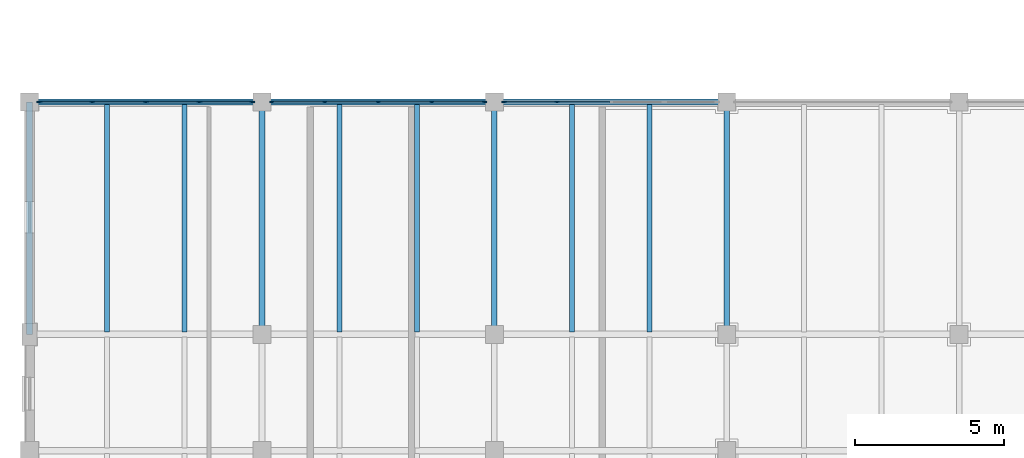
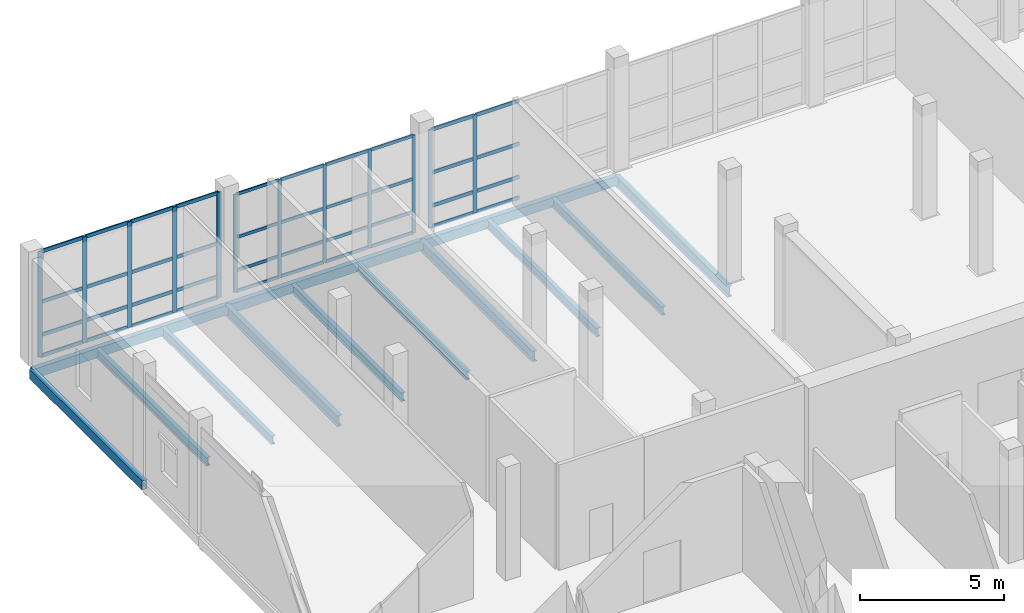
# One storey, part 43 of 131: 52 members, 13 beams, 3 elements without a shape of their own.
"""IFC4 building model written with IfcOpenShell, lengths in metres."""

import ifcopenshell
import ifcopenshell.guid

model = None  # the IFC model being written
_history = None  # IfcOwnerHistory: only IFC2X3 demands one
_inside = {}  # id of a spatial element -> (the spatial element, [elements in it])
_under = {}  # id of a project, library or spatial element -> (it, [spatial elements below it])
_declared = {}  # id of a project -> (the project, [libraries it declares])
_typed = {}  # id of a type object -> (the type object, [elements of that type])
_made_of = {}  # id of a material, layer set ... -> (it, [elements and type objects made of it])


def new_model(schema):
    """Start an empty IFC model of exactly this schema.

    Asked for "IFC4X3", IfcOpenShell would pick the latest addendum, in which some entities
    have other attributes; the version numbers below select the first issue.
    IFC2X3 requires an IfcOwnerHistory on every rooted entity: one is made here for all.
    """
    global model, _history
    if schema == "IFC4X3":
        model = ifcopenshell.file(schema_version=(4, 3, 0, 0))
    else:
        model = ifcopenshell.file(schema=schema)
    _inside.clear()
    _under.clear()
    _declared.clear()
    _typed.clear()
    _made_of.clear()
    _history = None
    if model.schema == "IFC2X3":
        org = make("IfcOrganization", Name="unknown")
        user = make(
            "IfcPersonAndOrganization",
            ThePerson=make("IfcPerson", FamilyName="unknown"),
            TheOrganization=org,
        )
        app = make(
            "IfcApplication",
            ApplicationDeveloper=org,
            Version="unknown",
            ApplicationFullName="unknown",
            ApplicationIdentifier="unknown",
        )
        _history = make(
            "IfcOwnerHistory",
            OwningUser=user,
            OwningApplication=app,
            ChangeAction="ADDED",
            CreationDate=0,
        )
    return model


def make(cls, **values):
    """One entity of the class cls with the attributes given. An attribute that is None is left unset."""
    return model.create_entity(
        cls, **{name: value for name, value in values.items() if value is not None}
    )


def rooted(cls, **values):
    """An entity with a GlobalId (a new one), such as an element, a storey or a relation."""
    return make(cls, GlobalId=ifcopenshell.guid.new(), OwnerHistory=_history, **values)


def si_unit(unit_type, name, prefix=None):
    """IfcSIUnit, for example si_unit("LENGTHUNIT", "METRE", prefix="MILLI")."""
    return make("IfcSIUnit", UnitType=unit_type, Prefix=prefix, Name=name)


def assignment(units):
    """IfcUnitAssignment: the units of a project."""
    return None if units is None else make("IfcUnitAssignment", Units=units)


def point(xyz):
    """IfcCartesianPoint."""
    return None if xyz is None else make("IfcCartesianPoint", Coordinates=xyz)


def direction(xyz):
    """IfcDirection."""
    return None if xyz is None else make("IfcDirection", DirectionRatios=xyz)


def frame(location, z_axis=None, x_axis=None):
    """IfcAxis2Placement3D, a coordinate frame: its origin and axes. An axis left out is left unset."""
    return make(
        "IfcAxis2Placement3D",
        Location=point(location),
        Axis=direction(z_axis),
        RefDirection=direction(x_axis),
    )


def frame_2d(location, x_axis=None):
    """IfcAxis2Placement2D, a coordinate frame in the plane: its origin and x axis."""
    return make(
        "IfcAxis2Placement2D", Location=point(location), RefDirection=direction(x_axis)
    )


def origin():
    """The frame at (0, 0, 0) with its axes left unset."""
    return frame((0.0, 0.0, 0.0))


def origin_2d():
    """The frame at (0, 0) in the plane with its x axis left unset."""
    return frame_2d((0.0, 0.0))


def place(relative_to, where):
    """IfcLocalPlacement: puts the frame where relative to a parent placement (None: the world)."""
    return make(
        "IfcLocalPlacement", PlacementRelTo=relative_to, RelativePlacement=where
    )


def context(
    kind, dimensions, precision=None, world=None, true_north=None, identifier=None
):
    """IfcGeometricRepresentationContext, for example the 3D "Model" context."""
    return make(
        "IfcGeometricRepresentationContext",
        ContextIdentifier=identifier,
        ContextType=kind,
        CoordinateSpaceDimension=dimensions,
        Precision=precision,
        WorldCoordinateSystem=world,
        TrueNorth=true_north,
    )


def subcontext(parent, identifier, kind, view, scale=None):
    """IfcGeometricRepresentationSubContext, for example "Body" below "Model"."""
    return make(
        "IfcGeometricRepresentationSubContext",
        ContextIdentifier=identifier,
        ContextType=kind,
        ParentContext=parent,
        TargetScale=scale,
        TargetView=view,
    )


def project(units=None, contexts=None):
    """IfcProject with its units and contexts."""
    return rooted(
        "IfcProject",
        Name="project",
        RepresentationContexts=contexts,
        UnitsInContext=assignment(units),
    )


def spatial(cls, under=None, at=None, **own):
    """A site, building, storey or space (cls), placed at a placement, below another one or the project."""
    s = rooted(cls, ObjectPlacement=at, **own)
    if under is not None:
        _under.setdefault(under.id(), (under, []))[1].append(s)
    return s


def profile(cls, at=None, kind="AREA", **sizes):
    """A parametric profile (cls). Its sizes go by their IFC names, for example OverallWidth=200.0."""
    return make(cls, ProfileType=kind, Position=at, **sizes)


def rectangle(**sizes):
    """IfcRectangleProfileDef."""
    return profile("IfcRectangleProfileDef", **sizes)


def hollow_rectangle(**sizes):
    """IfcRectangleHollowProfileDef."""
    return profile("IfcRectangleHollowProfileDef", **sizes)


def i_section(**sizes):
    """IfcIShapeProfileDef."""
    return profile("IfcIShapeProfileDef", **sizes)


def extrude(swept, where, along, depth):
    """IfcExtrudedAreaSolid: the profile swept, set in the frame where, extruded along a direction by depth."""
    return make(
        "IfcExtrudedAreaSolid",
        SweptArea=swept,
        Position=where,
        ExtrudedDirection=direction(along),
        Depth=depth,
    )


def shape(context_of_items, identifier, shape_type, items):
    """IfcShapeRepresentation: the items that make up one representation, for example the "Body"."""
    return make(
        "IfcShapeRepresentation",
        ContextOfItems=context_of_items,
        RepresentationIdentifier=identifier,
        RepresentationType=shape_type,
        Items=items,
    )


def material(Name=None, Category=None):
    """IfcMaterial."""
    return make("IfcMaterial", Name=Name, Category=Category)


def layer(
    of_material, thickness, ventilated=None, Name=None, Category=None, Priority=None
):
    """IfcMaterialLayer: one layer of a wall or slab, of a material (None: an air gap)."""
    return make(
        "IfcMaterialLayer",
        Material=of_material,
        LayerThickness=thickness,
        IsVentilated=ventilated,
        Name=Name,
        Category=Category,
        Priority=Priority,
    )


def layer_set(layers, Name=None):
    """IfcMaterialLayerSet."""
    return make("IfcMaterialLayerSet", MaterialLayers=layers, LayerSetName=Name)


def material_profile(
    of_material, cross_section, Name=None, Category=None, Priority=None
):
    """IfcMaterialProfile: a cross section and its material."""
    return make(
        "IfcMaterialProfile",
        Name=Name,
        Material=of_material,
        Profile=cross_section,
        Priority=Priority,
        Category=Category,
    )


def profile_set(profiles, Name=None, composite=None):
    """IfcMaterialProfileSet."""
    return make(
        "IfcMaterialProfileSet",
        Name=Name,
        MaterialProfiles=profiles,
        CompositeProfile=composite,
    )


def made_of(thing, what):
    """Note that an element or type object is made of a material, layer set ...; save() writes the relation."""
    if what is not None:
        _made_of.setdefault(what.id(), (what, []))[1].append(thing)
    return thing


def type_object(cls, material=None, **own):
    """A type object (cls), such as IfcWallType, which elements share."""
    return made_of(rooted(cls, **own), material)


def element(
    cls,
    number,
    at=None,
    inside=None,
    cuts=None,
    type_object=None,
    material=None,
    context=None,
    identifier="Body",
    shape_type=None,
    held_by="IfcProductDefinitionShape",
    body=None,
    shapes=None,
    **own,
):
    """One element of the class cls, such as IfcWall. Its Tag is "e" and its number.

    at: its placement. inside: the storey or other place that contains it. cuts: it is an
    opening in that element (IfcRelVoidsElement). A single representation is given by context,
    identifier, shape_type and body (its items); several are given by shapes. held_by: the class
    of the entity that holds the representations. save() writes the other relations.
    """
    e = rooted(cls, Tag="e%d" % number, ObjectPlacement=at, **own)
    if body is not None:
        shapes = [shape(context, identifier, shape_type, body)]
    if shapes is not None:
        e.Representation = make(held_by, Representations=shapes)
    if inside is not None:
        _inside.setdefault(inside.id(), (inside, []))[1].append(e)
    if cuts is not None:
        rooted(
            "IfcRelVoidsElement", RelatingBuildingElement=cuts, RelatedOpeningElement=e
        )
    if type_object is not None:
        _typed.setdefault(type_object.id(), (type_object, []))[1].append(e)
    return made_of(e, material)


def aggregate(whole, parts):
    """IfcRelAggregates: a whole, such as a stair, and the parts it consists of."""
    return rooted("IfcRelAggregates", RelatingObject=whole, RelatedObjects=parts)


def save(model, path):
    """Write the relations noted so far, then the file.

    IfcRelAggregates (storeys below a building ...), IfcRelContainedInSpatialStructure (elements
    in a storey), IfcRelDefinesByType, IfcRelAssociatesMaterial and IfcRelDeclares: one each for
    every whole, place, type object, material and project.
    """
    for whole, parts in _under.values():
        aggregate(whole, parts)
    for where, things in _inside.values():
        rooted(
            "IfcRelContainedInSpatialStructure",
            RelatedElements=things,
            RelatingStructure=where,
        )
    for kind, things in _typed.values():
        rooted("IfcRelDefinesByType", RelatedObjects=things, RelatingType=kind)
    for what, things in _made_of.values():
        rooted("IfcRelAssociatesMaterial", RelatedObjects=things, RelatingMaterial=what)
    for by, libraries in _declared.values():
        rooted("IfcRelDeclares", RelatingContext=by, RelatedDefinitions=libraries)
    model.write(path)


model = new_model("IFC4")

# Units and contexts
model_context = context("Model", 3, precision=1e-05, world=origin(), true_north=direction((0.0, 1.0)))
body_context = subcontext(model_context, "Body", "Model", "MODEL_VIEW")
ifc_project = project(units=[si_unit("LENGTHUNIT", "METRE"), si_unit("AREAUNIT", "SQUARE_METRE"), si_unit("VOLUMEUNIT", "CUBIC_METRE"), si_unit("PLANEANGLEUNIT", "RADIAN"), si_unit("MASSUNIT", "GRAM", prefix="KILO")], contexts=[model_context])

# Site, building, storey
site_placement = place(None, origin())
site = spatial("IfcSite", under=ifc_project, at=site_placement, CompositionType="ELEMENT")
building_placement = place(site_placement, origin())
building = spatial("IfcBuilding", under=site, at=building_placement, Name="Celorna Specialist Clinic", CompositionType="ELEMENT")
storey_placement = place(building_placement, origin())
storey = spatial("IfcBuildingStorey", under=building, at=storey_placement, Name="L00", CompositionType="ELEMENT", Elevation=0.0)

# Beams
ifc_material_1 = material(Name="Steel S355", Category="steel")
ifc_material_profile_1 = material_profile(ifc_material_1, i_section(OverallWidth=0.18994140625, OverallDepth=0.449951171875, WebThickness=0.009521484375, FlangeThickness=0.0146484375, at=origin_2d()), Name="IPE 450")
ifc_profile_set_1 = profile_set([ifc_material_profile_1], Name="Steel S355")
beam_type_1 = type_object("IfcBeamType", Name="BM-09", PredefinedType="BEAM", material=ifc_profile_set_1)
for number, where, z_axis, x_axis, name in (
    (1, (7.800048828125, 62.39990234375, -0.60498046875), (0.0, 1.0, 0.0), (-1.0, 0.0, 0.0), "Transverse girder BM-09 #275"),
    (2, (15.60009765625, 62.39990234375, -0.60498046875), (0.0, 1.0, 0.0), (-1.0, 0.0, 0.0), "Transverse girder BM-09 #280"),
    (3, (23.39990234375, 62.39990234375, -0.60498046875), (0.0, 1.0, 0.0), (-1.0, 0.0, 0.0), "Transverse girder BM-09 #285"),
):
    element("IfcBeam", number, at=place(storey_placement, frame(where, z_axis=z_axis, x_axis=x_axis)), inside=storey, type_object=beam_type_1, Name=name, PredefinedType="BEAM", context=body_context, shape_type="SweptSolid", body=[
        extrude(i_section(OverallWidth=0.18994140625, OverallDepth=0.449951171875, WebThickness=0.009521484375, FlangeThickness=0.0146484375, at=origin_2d()), origin(), (0.0, 0.0, 1.0), 7.800048828125),
    ])
ifc_material_profile_2 = material_profile(ifc_material_1, i_section(OverallWidth=0.169921875, OverallDepth=0.360107421875, WebThickness=0.008056640625, FlangeThickness=0.0126953125, at=origin_2d()), Name="IPE 360")
ifc_profile_set_2 = profile_set([ifc_material_profile_2], Name="Steel S355")
beam_type_2 = type_object("IfcBeamType", Name="BM-11", PredefinedType="JOIST", material=ifc_profile_set_2)
for number, where, z_axis, x_axis, name in (
    (4, (2.60009765625, 62.488037109375, -0.56005859375), (0.0, 1.0, 0.0), (-1.0, 0.0, 0.0), "Secondary floor joist BM-11 #307"),
    (5, (5.199951171875, 62.488037109375, -0.56005859375), (0.0, 1.0, 0.0), (-1.0, 0.0, 0.0), "Secondary floor joist BM-11 #308"),
    (6, (10.39990234375, 62.488037109375, -0.56005859375), (0.0, 1.0, 0.0), (-1.0, 0.0, 0.0), "Secondary floor joist BM-11 #317"),
    (7, (13.0, 62.488037109375, -0.56005859375), (0.0, 1.0, 0.0), (-1.0, 0.0, 0.0), "Secondary floor joist BM-11 #318"),
    (8, (18.199951171875, 62.488037109375, -0.56005859375), (0.0, 1.0, 0.0), (-1.0, 0.0, 0.0), "Secondary floor joist BM-11 #327"),
    (9, (20.800048828125, 62.488037109375, -0.56005859375), (0.0, 1.0, 0.0), (-1.0, 0.0, 0.0), "Secondary floor joist BM-11 #328"),
):
    element("IfcBeam", number, at=place(storey_placement, frame(where, z_axis=z_axis, x_axis=x_axis)), inside=storey, type_object=beam_type_2, Name=name, PredefinedType="JOIST", context=body_context, shape_type="SweptSolid", body=[
        extrude(i_section(OverallWidth=0.169921875, OverallDepth=0.360107421875, WebThickness=0.008056640625, FlangeThickness=0.0126953125, at=origin_2d()), origin(), (0.0, 0.0, 1.0), 7.6240234375),
    ])
ifc_material_profile_3 = material_profile(ifc_material_1, hollow_rectangle(XDim=0.199951171875, YDim=0.39990234375, WallThickness=0.011962890625, at=origin_2d()), Name="RHS 200x400x12")
ifc_profile_set_3 = profile_set([ifc_material_profile_3], Name="Steel S355")
beam_type_3 = type_object("IfcBeamType", Name="BM-15", PredefinedType="SPANDREL", material=ifc_profile_set_3)
for number, where, z_axis, x_axis, name in (
    (10, (0.0, 70.199951171875, -0.580078125), (1.0, 0.0, 0.0), (0.0, 1.0, 0.0), "Spandrel beam BM-15 #260"),
    (11, (7.800048828125, 70.199951171875, -0.580078125), (1.0, 0.0, 0.0), (0.0, 1.0, 0.0), "Spandrel beam BM-15 #261"),
):
    element("IfcBeam", number, at=place(storey_placement, frame(where, z_axis=z_axis, x_axis=x_axis)), inside=storey, type_object=beam_type_3, Name=name, PredefinedType="SPANDREL", context=body_context, shape_type="SweptSolid", body=[
        extrude(hollow_rectangle(XDim=0.199951171875, YDim=0.39990234375, WallThickness=0.011962890625, at=origin_2d()), origin(), (0.0, 0.0, 1.0), 7.800048828125),
    ])
beam_1_placement = place(storey_placement, frame((15.60009765625, 70.199951171875, -0.580078125), z_axis=(1.0, 0.0, 0.0), x_axis=(0.0, 1.0, 0.0)))
element("IfcBeam", 12, at=beam_1_placement, inside=storey, type_object=beam_type_3, Name="Spandrel beam BM-15 #262", PredefinedType="SPANDREL", context=body_context, shape_type="SweptSolid", body=[
    extrude(hollow_rectangle(XDim=0.199951171875, YDim=0.39990234375, WallThickness=0.011962890625, at=origin_2d()), origin(), (0.0, 0.0, 1.0), 7.7998046875),
])
beam_2_placement = place(storey_placement, frame((0.0, 62.39990234375, -0.580078125), z_axis=(0.0, 1.0, 0.0), x_axis=(-1.0, 0.0, 0.0)))
element("IfcBeam", 13, at=beam_2_placement, inside=storey, type_object=beam_type_3, Name="Spandrel beam BM-15 #270", PredefinedType="SPANDREL", context=body_context, shape_type="SweptSolid", body=[
    extrude(hollow_rectangle(XDim=0.199951171875, YDim=0.39990234375, WallThickness=0.011962890625, at=origin_2d()), origin(), (0.0, 0.0, 1.0), 7.800048828125),
])

# Curtain wall, members
ifc_material_2 = material(Name="Thermally broken aluminium and solar-control glass curtain wall", Category="aluminium")
ifc_layer_1 = layer(ifc_material_2, 0.159912109375, Name="Thermally broken aluminium and solar-control glass curtain wall")
ifc_layer_set_1 = layer_set([ifc_layer_1], Name="Thermally broken aluminium and solar-control glass curtain wall")
curtain_wall_type_1 = type_object("IfcCurtainWallType", Name="CW-16", PredefinedType="NOTDEFINED", material=ifc_layer_set_1)
curtain_wall_1_placement = place(storey_placement, origin())
curtain_wall_1 = element("IfcCurtainWall", 14, at=curtain_wall_1_placement, inside=storey, type_object=curtain_wall_type_1, Name="Curtain wall CW-16 #43", PredefinedType="NOTDEFINED")
ifc_material_3 = material(Name="Anodized aluminium mullion", Category="aluminium")
ifc_material_profile_4 = material_profile(ifc_material_3, rectangle(XDim=0.050048828125, YDim=0.159912109375, at=origin_2d()), Name="ALU MULLION 50x160")
ifc_profile_set_4 = profile_set([ifc_material_profile_4], Name="Anodized aluminium mullion")
member_type_1 = type_object("IfcMemberType", Name="ML-01", PredefinedType="MULLION", material=ifc_profile_set_4)
member_1_placement = place(storey_placement, frame((15.928955078125, 70.199951171875, 0.0), z_axis=(0.0, 0.0, 1.0), x_axis=(0.0, 1.0, 0.0)))
member_1 = element("IfcMember", 15, at=member_1_placement, type_object=member_type_1, Name="CW-16 mullion 1", PredefinedType="MULLION", context=body_context, shape_type="SweptSolid", body=[
    extrude(rectangle(XDim=0.050048828125, YDim=0.159912109375, at=origin_2d()), origin(), (0.0, 0.0, 1.0), 4.139892578125),
])
member_2_placement = place(storey_placement, frame((17.701904296875, 70.199951171875, 0.0), z_axis=(0.0, 0.0, 1.0), x_axis=(0.0, 1.0, 0.0)))
member_2 = element("IfcMember", 16, at=member_2_placement, type_object=member_type_1, Name="CW-16 mullion 2", PredefinedType="MULLION", context=body_context, shape_type="SweptSolid", body=[
    extrude(rectangle(XDim=0.050048828125, YDim=0.159912109375, at=origin_2d()), origin(), (0.0, 0.0, 1.0), 4.139892578125),
])

ifc_layer_2 = layer(ifc_material_2, 0.159912109375, Name="Thermally broken aluminium and solar-control glass curtain wall")
ifc_layer_set_2 = layer_set([ifc_layer_2], Name="Thermally broken aluminium and solar-control glass curtain wall")
curtain_wall_type_2 = type_object("IfcCurtainWallType", Name="CW-14", PredefinedType="NOTDEFINED", material=ifc_layer_set_2)
curtain_wall_2_placement = place(storey_placement, origin())
curtain_wall_2 = element("IfcCurtainWall", 17, at=curtain_wall_2_placement, inside=storey, type_object=curtain_wall_type_2, Name="Curtain wall CW-14 #41", PredefinedType="NOTDEFINED")
ifc_material_profile_5 = material_profile(ifc_material_3, rectangle(XDim=0.050048828125, YDim=0.179931640625, at=origin_2d()), Name="ALU MULLION 50x180")
ifc_profile_set_5 = profile_set([ifc_material_profile_5], Name="Anodized aluminium mullion")
member_type_2 = type_object("IfcMemberType", Name="ML-02", PredefinedType="MULLION", material=ifc_profile_set_5)
member_3_placement = place(storey_placement, frame((0.3291015625, 70.199951171875, 0.0), z_axis=(0.0, 0.0, 1.0), x_axis=(0.0, 1.0, 0.0)))
member_3 = element("IfcMember", 18, at=member_3_placement, type_object=member_type_2, Name="CW-14 mullion 1", PredefinedType="MULLION", context=body_context, shape_type="SweptSolid", body=[
    extrude(rectangle(XDim=0.050048828125, YDim=0.179931640625, at=origin_2d()), origin(), (0.0, 0.0, 1.0), 4.4599609375),
])
member_4_placement = place(storey_placement, frame((2.10205078125, 70.199951171875, 0.0), z_axis=(0.0, 0.0, 1.0), x_axis=(0.0, 1.0, 0.0)))
member_4 = element("IfcMember", 19, at=member_4_placement, type_object=member_type_2, Name="CW-14 mullion 2", PredefinedType="MULLION", context=body_context, shape_type="SweptSolid", body=[
    extrude(rectangle(XDim=0.050048828125, YDim=0.179931640625, at=origin_2d()), origin(), (0.0, 0.0, 1.0), 4.4599609375),
])
member_5_placement = place(storey_placement, frame((3.89990234375, 70.199951171875, 0.0), z_axis=(0.0, 0.0, 1.0), x_axis=(0.0, 1.0, 0.0)))
member_5 = element("IfcMember", 20, at=member_5_placement, type_object=member_type_2, Name="CW-14 mullion 3", PredefinedType="MULLION", context=body_context, shape_type="SweptSolid", body=[
    extrude(rectangle(XDim=0.050048828125, YDim=0.179931640625, at=origin_2d()), origin(), (0.0, 0.0, 1.0), 4.4599609375),
])
member_6_placement = place(storey_placement, frame((5.697998046875, 70.199951171875, 0.0), z_axis=(0.0, 0.0, 1.0), x_axis=(0.0, 1.0, 0.0)))
member_6 = element("IfcMember", 21, at=member_6_placement, type_object=member_type_2, Name="CW-14 mullion 4", PredefinedType="MULLION", context=body_context, shape_type="SweptSolid", body=[
    extrude(rectangle(XDim=0.050048828125, YDim=0.179931640625, at=origin_2d()), origin(), (0.0, 0.0, 1.0), 4.4599609375),
])
member_7_placement = place(storey_placement, frame((7.470947265625, 70.199951171875, 0.0), z_axis=(0.0, 0.0, 1.0), x_axis=(0.0, 1.0, 0.0)))
member_7 = element("IfcMember", 22, at=member_7_placement, type_object=member_type_2, Name="CW-14 mullion 5", PredefinedType="MULLION", context=body_context, shape_type="SweptSolid", body=[
    extrude(rectangle(XDim=0.050048828125, YDim=0.179931640625, at=origin_2d()), origin(), (0.0, 0.0, 1.0), 4.4599609375),
])

ifc_layer_3 = layer(ifc_material_2, 0.159912109375, Name="Thermally broken aluminium and solar-control glass curtain wall")
ifc_layer_set_3 = layer_set([ifc_layer_3], Name="Thermally broken aluminium and solar-control glass curtain wall")
curtain_wall_type_3 = type_object("IfcCurtainWallType", Name="CW-15", PredefinedType="NOTDEFINED", material=ifc_layer_set_3)
curtain_wall_3_placement = place(storey_placement, origin())
curtain_wall_3 = element("IfcCurtainWall", 23, at=curtain_wall_3_placement, inside=storey, type_object=curtain_wall_type_3, Name="Curtain wall CW-15 #42", PredefinedType="NOTDEFINED")
ifc_material_profile_6 = material_profile(ifc_material_3, rectangle(XDim=0.050048828125, YDim=0.139892578125, at=origin_2d()), Name="ALU MULLION 50x140")
ifc_profile_set_6 = profile_set([ifc_material_profile_6], Name="Anodized aluminium mullion")
member_type_3 = type_object("IfcMemberType", Name="ML-03", PredefinedType="MULLION", material=ifc_profile_set_6)
member_8_placement = place(storey_placement, frame((8.12890625, 70.199951171875, 0.0), z_axis=(0.0, 0.0, 1.0), x_axis=(0.0, 1.0, 0.0)))
member_8 = element("IfcMember", 24, at=member_8_placement, type_object=member_type_3, Name="CW-15 mullion 1", PredefinedType="MULLION", context=body_context, shape_type="SweptSolid", body=[
    extrude(rectangle(XDim=0.050048828125, YDim=0.139892578125, at=origin_2d()), origin(), (0.0, 0.0, 1.0), 4.139892578125),
])
member_9_placement = place(storey_placement, frame((9.902099609375, 70.199951171875, 0.0), z_axis=(0.0, 0.0, 1.0), x_axis=(0.0, 1.0, 0.0)))
member_9 = element("IfcMember", 25, at=member_9_placement, type_object=member_type_3, Name="CW-15 mullion 2", PredefinedType="MULLION", context=body_context, shape_type="SweptSolid", body=[
    extrude(rectangle(XDim=0.050048828125, YDim=0.139892578125, at=origin_2d()), origin(), (0.0, 0.0, 1.0), 4.139892578125),
])
member_10_placement = place(storey_placement, frame((11.699951171875, 70.199951171875, 0.0), z_axis=(0.0, 0.0, 1.0), x_axis=(0.0, 1.0, 0.0)))
member_10 = element("IfcMember", 26, at=member_10_placement, type_object=member_type_3, Name="CW-15 mullion 3", PredefinedType="MULLION", context=body_context, shape_type="SweptSolid", body=[
    extrude(rectangle(XDim=0.050048828125, YDim=0.139892578125, at=origin_2d()), origin(), (0.0, 0.0, 1.0), 4.139892578125),
])
member_11_placement = place(storey_placement, frame((13.498046875, 70.199951171875, 0.0), z_axis=(0.0, 0.0, 1.0), x_axis=(0.0, 1.0, 0.0)))
member_11 = element("IfcMember", 27, at=member_11_placement, type_object=member_type_3, Name="CW-15 mullion 4", PredefinedType="MULLION", context=body_context, shape_type="SweptSolid", body=[
    extrude(rectangle(XDim=0.050048828125, YDim=0.139892578125, at=origin_2d()), origin(), (0.0, 0.0, 1.0), 4.139892578125),
])
member_12_placement = place(storey_placement, frame((15.27099609375, 70.199951171875, 0.0), z_axis=(0.0, 0.0, 1.0), x_axis=(0.0, 1.0, 0.0)))
member_12 = element("IfcMember", 28, at=member_12_placement, type_object=member_type_3, Name="CW-15 mullion 5", PredefinedType="MULLION", context=body_context, shape_type="SweptSolid", body=[
    extrude(rectangle(XDim=0.050048828125, YDim=0.139892578125, at=origin_2d()), origin(), (0.0, 0.0, 1.0), 4.139892578125),
])
ifc_material_4 = material(Name="Anodized aluminium transom", Category="aluminium")
ifc_material_profile_7 = material_profile(ifc_material_4, rectangle(XDim=0.050048828125, YDim=0.1298828125, at=origin_2d()), Name="ALU TRANSOM 50x130")
ifc_profile_set_7 = profile_set([ifc_material_profile_7], Name="Anodized aluminium transom")
member_type_4 = type_object("IfcMemberType", Name="TR-01", PredefinedType="USERDEFINED", material=ifc_profile_set_7)
member_13_placement = place(storey_placement, frame((8.154052734375, 70.199951171875, 0.02490234375), z_axis=(1.0, 0.0, 0.0), x_axis=(0.0, 1.0, 0.0)))
member_13 = element("IfcMember", 29, at=member_13_placement, type_object=member_type_4, Name="CW-15 transom 1.1", ObjectType="TRANSOM", PredefinedType="USERDEFINED", context=body_context, shape_type="SweptSolid", body=[
    extrude(rectangle(XDim=0.050048828125, YDim=0.1298828125, at=origin_2d()), origin(), (0.0, 0.0, 1.0), 1.722900390625),
])
member_14_placement = place(storey_placement, frame((8.154052734375, 70.199951171875, 0.89990234375), z_axis=(1.0, 0.0, 0.0), x_axis=(0.0, 1.0, 0.0)))
member_14 = element("IfcMember", 30, at=member_14_placement, type_object=member_type_4, Name="CW-15 transom 1.2", ObjectType="TRANSOM", PredefinedType="USERDEFINED", context=body_context, shape_type="SweptSolid", body=[
    extrude(rectangle(XDim=0.050048828125, YDim=0.1298828125, at=origin_2d()), origin(), (0.0, 0.0, 1.0), 1.722900390625),
])
member_15_placement = place(storey_placement, frame((8.154052734375, 70.199951171875, 2.300048828125), z_axis=(1.0, 0.0, 0.0), x_axis=(0.0, 1.0, 0.0)))
member_15 = element("IfcMember", 31, at=member_15_placement, type_object=member_type_4, Name="CW-15 transom 1.3", ObjectType="TRANSOM", PredefinedType="USERDEFINED", context=body_context, shape_type="SweptSolid", body=[
    extrude(rectangle(XDim=0.050048828125, YDim=0.1298828125, at=origin_2d()), origin(), (0.0, 0.0, 1.0), 1.722900390625),
])
member_16_placement = place(storey_placement, frame((8.154052734375, 70.199951171875, 4.114990234375), z_axis=(1.0, 0.0, 0.0), x_axis=(0.0, 1.0, 0.0)))
member_16 = element("IfcMember", 32, at=member_16_placement, type_object=member_type_4, Name="CW-15 transom 1.4", ObjectType="TRANSOM", PredefinedType="USERDEFINED", context=body_context, shape_type="SweptSolid", body=[
    extrude(rectangle(XDim=0.050048828125, YDim=0.1298828125, at=origin_2d()), origin(), (0.0, 0.0, 1.0), 1.722900390625),
])
member_17_placement = place(storey_placement, frame((9.927001953125, 70.199951171875, 0.02490234375), z_axis=(1.0, 0.0, 0.0), x_axis=(0.0, 1.0, 0.0)))
member_17 = element("IfcMember", 33, at=member_17_placement, type_object=member_type_4, Name="CW-15 transom 2.1", ObjectType="TRANSOM", PredefinedType="USERDEFINED", context=body_context, shape_type="SweptSolid", body=[
    extrude(rectangle(XDim=0.050048828125, YDim=0.1298828125, at=origin_2d()), origin(), (0.0, 0.0, 1.0), 1.748046875),
])
member_18_placement = place(storey_placement, frame((9.927001953125, 70.199951171875, 0.89990234375), z_axis=(1.0, 0.0, 0.0), x_axis=(0.0, 1.0, 0.0)))
member_18 = element("IfcMember", 34, at=member_18_placement, type_object=member_type_4, Name="CW-15 transom 2.2", ObjectType="TRANSOM", PredefinedType="USERDEFINED", context=body_context, shape_type="SweptSolid", body=[
    extrude(rectangle(XDim=0.050048828125, YDim=0.1298828125, at=origin_2d()), origin(), (0.0, 0.0, 1.0), 1.748046875),
])
member_19_placement = place(storey_placement, frame((9.927001953125, 70.199951171875, 2.300048828125), z_axis=(1.0, 0.0, 0.0), x_axis=(0.0, 1.0, 0.0)))
member_19 = element("IfcMember", 35, at=member_19_placement, type_object=member_type_4, Name="CW-15 transom 2.3", ObjectType="TRANSOM", PredefinedType="USERDEFINED", context=body_context, shape_type="SweptSolid", body=[
    extrude(rectangle(XDim=0.050048828125, YDim=0.1298828125, at=origin_2d()), origin(), (0.0, 0.0, 1.0), 1.748046875),
])
member_20_placement = place(storey_placement, frame((9.927001953125, 70.199951171875, 4.114990234375), z_axis=(1.0, 0.0, 0.0), x_axis=(0.0, 1.0, 0.0)))
member_20 = element("IfcMember", 36, at=member_20_placement, type_object=member_type_4, Name="CW-15 transom 2.4", ObjectType="TRANSOM", PredefinedType="USERDEFINED", context=body_context, shape_type="SweptSolid", body=[
    extrude(rectangle(XDim=0.050048828125, YDim=0.1298828125, at=origin_2d()), origin(), (0.0, 0.0, 1.0), 1.748046875),
])
member_21_placement = place(storey_placement, frame((11.72509765625, 70.199951171875, 0.02490234375), z_axis=(1.0, 0.0, 0.0), x_axis=(0.0, 1.0, 0.0)))
member_21 = element("IfcMember", 37, at=member_21_placement, type_object=member_type_4, Name="CW-15 transom 3.1", ObjectType="TRANSOM", PredefinedType="USERDEFINED", context=body_context, shape_type="SweptSolid", body=[
    extrude(rectangle(XDim=0.050048828125, YDim=0.1298828125, at=origin_2d()), origin(), (0.0, 0.0, 1.0), 1.747802734375),
])
member_22_placement = place(storey_placement, frame((11.72509765625, 70.199951171875, 0.89990234375), z_axis=(1.0, 0.0, 0.0), x_axis=(0.0, 1.0, 0.0)))
member_22 = element("IfcMember", 38, at=member_22_placement, type_object=member_type_4, Name="CW-15 transom 3.2", ObjectType="TRANSOM", PredefinedType="USERDEFINED", context=body_context, shape_type="SweptSolid", body=[
    extrude(rectangle(XDim=0.050048828125, YDim=0.1298828125, at=origin_2d()), origin(), (0.0, 0.0, 1.0), 1.747802734375),
])
member_23_placement = place(storey_placement, frame((11.72509765625, 70.199951171875, 2.300048828125), z_axis=(1.0, 0.0, 0.0), x_axis=(0.0, 1.0, 0.0)))
member_23 = element("IfcMember", 39, at=member_23_placement, type_object=member_type_4, Name="CW-15 transom 3.3", ObjectType="TRANSOM", PredefinedType="USERDEFINED", context=body_context, shape_type="SweptSolid", body=[
    extrude(rectangle(XDim=0.050048828125, YDim=0.1298828125, at=origin_2d()), origin(), (0.0, 0.0, 1.0), 1.747802734375),
])
member_24_placement = place(storey_placement, frame((11.72509765625, 70.199951171875, 4.114990234375), z_axis=(1.0, 0.0, 0.0), x_axis=(0.0, 1.0, 0.0)))
member_24 = element("IfcMember", 40, at=member_24_placement, type_object=member_type_4, Name="CW-15 transom 3.4", ObjectType="TRANSOM", PredefinedType="USERDEFINED", context=body_context, shape_type="SweptSolid", body=[
    extrude(rectangle(XDim=0.050048828125, YDim=0.1298828125, at=origin_2d()), origin(), (0.0, 0.0, 1.0), 1.747802734375),
])
member_25_placement = place(storey_placement, frame((13.52294921875, 70.199951171875, 0.02490234375), z_axis=(1.0, 0.0, 0.0), x_axis=(0.0, 1.0, 0.0)))
member_25 = element("IfcMember", 41, at=member_25_placement, type_object=member_type_4, Name="CW-15 transom 4.1", ObjectType="TRANSOM", PredefinedType="USERDEFINED", context=body_context, shape_type="SweptSolid", body=[
    extrude(rectangle(XDim=0.050048828125, YDim=0.1298828125, at=origin_2d()), origin(), (0.0, 0.0, 1.0), 1.72314453125),
])
member_26_placement = place(storey_placement, frame((13.52294921875, 70.199951171875, 0.89990234375), z_axis=(1.0, 0.0, 0.0), x_axis=(0.0, 1.0, 0.0)))
member_26 = element("IfcMember", 42, at=member_26_placement, type_object=member_type_4, Name="CW-15 transom 4.2", ObjectType="TRANSOM", PredefinedType="USERDEFINED", context=body_context, shape_type="SweptSolid", body=[
    extrude(rectangle(XDim=0.050048828125, YDim=0.1298828125, at=origin_2d()), origin(), (0.0, 0.0, 1.0), 1.72314453125),
])
member_27_placement = place(storey_placement, frame((13.52294921875, 70.199951171875, 2.300048828125), z_axis=(1.0, 0.0, 0.0), x_axis=(0.0, 1.0, 0.0)))
member_27 = element("IfcMember", 43, at=member_27_placement, type_object=member_type_4, Name="CW-15 transom 4.3", ObjectType="TRANSOM", PredefinedType="USERDEFINED", context=body_context, shape_type="SweptSolid", body=[
    extrude(rectangle(XDim=0.050048828125, YDim=0.1298828125, at=origin_2d()), origin(), (0.0, 0.0, 1.0), 1.72314453125),
])
member_28_placement = place(storey_placement, frame((13.52294921875, 70.199951171875, 4.114990234375), z_axis=(1.0, 0.0, 0.0), x_axis=(0.0, 1.0, 0.0)))
member_28 = element("IfcMember", 44, at=member_28_placement, type_object=member_type_4, Name="CW-15 transom 4.4", ObjectType="TRANSOM", PredefinedType="USERDEFINED", context=body_context, shape_type="SweptSolid", body=[
    extrude(rectangle(XDim=0.050048828125, YDim=0.1298828125, at=origin_2d()), origin(), (0.0, 0.0, 1.0), 1.72314453125),
])
aggregate(curtain_wall_3, [member_8, member_9, member_10, member_11, member_12, member_13, member_14, member_15, member_16, member_17, member_18, member_19, member_20, member_21, member_22, member_23, member_24, member_25, member_26, member_27, member_28])

# Member
ifc_material_profile_8 = material_profile(ifc_material_4, rectangle(XDim=0.050048828125, YDim=0.14990234375, at=origin_2d()), Name="ALU TRANSOM 50x150")
ifc_profile_set_8 = profile_set([ifc_material_profile_8], Name="Anodized aluminium transom")
member_type_5 = type_object("IfcMemberType", Name="TR-02", PredefinedType="USERDEFINED", material=ifc_profile_set_8)
member_29_placement = place(storey_placement, frame((0.35400390625, 70.199951171875, 0.02490234375), z_axis=(1.0, 0.0, 0.0), x_axis=(0.0, 1.0, 0.0)))
member_29 = element("IfcMember", 45, at=member_29_placement, type_object=member_type_5, Name="CW-14 transom 1.1", ObjectType="TRANSOM", PredefinedType="USERDEFINED", context=body_context, shape_type="SweptSolid", body=[
    extrude(rectangle(XDim=0.050048828125, YDim=0.14990234375, at=origin_2d()), origin(), (0.0, 0.0, 1.0), 1.722900390625),
])

member_30_placement = place(storey_placement, frame((0.35400390625, 70.199951171875, 0.89990234375), z_axis=(1.0, 0.0, 0.0), x_axis=(0.0, 1.0, 0.0)))
member_30 = element("IfcMember", 46, at=member_30_placement, type_object=member_type_5, Name="CW-14 transom 1.2", ObjectType="TRANSOM", PredefinedType="USERDEFINED", context=body_context, shape_type="SweptSolid", body=[
    extrude(rectangle(XDim=0.050048828125, YDim=0.14990234375, at=origin_2d()), origin(), (0.0, 0.0, 1.0), 1.722900390625),
])

member_31_placement = place(storey_placement, frame((0.35400390625, 70.199951171875, 2.300048828125), z_axis=(1.0, 0.0, 0.0), x_axis=(0.0, 1.0, 0.0)))
member_31 = element("IfcMember", 47, at=member_31_placement, type_object=member_type_5, Name="CW-14 transom 1.3", ObjectType="TRANSOM", PredefinedType="USERDEFINED", context=body_context, shape_type="SweptSolid", body=[
    extrude(rectangle(XDim=0.050048828125, YDim=0.14990234375, at=origin_2d()), origin(), (0.0, 0.0, 1.0), 1.722900390625),
])

member_32_placement = place(storey_placement, frame((0.35400390625, 70.199951171875, 4.43505859375), z_axis=(1.0, 0.0, 0.0), x_axis=(0.0, 1.0, 0.0)))
member_32 = element("IfcMember", 48, at=member_32_placement, type_object=member_type_5, Name="CW-14 transom 1.4", ObjectType="TRANSOM", PredefinedType="USERDEFINED", context=body_context, shape_type="SweptSolid", body=[
    extrude(rectangle(XDim=0.050048828125, YDim=0.14990234375, at=origin_2d()), origin(), (0.0, 0.0, 1.0), 1.722900390625),
])

member_33_placement = place(storey_placement, frame((2.126953125, 70.199951171875, 0.02490234375), z_axis=(1.0, 0.0, 0.0), x_axis=(0.0, 1.0, 0.0)))
member_33 = element("IfcMember", 49, at=member_33_placement, type_object=member_type_5, Name="CW-14 transom 2.1", ObjectType="TRANSOM", PredefinedType="USERDEFINED", context=body_context, shape_type="SweptSolid", body=[
    extrude(rectangle(XDim=0.050048828125, YDim=0.14990234375, at=origin_2d()), origin(), (0.0, 0.0, 1.0), 1.748046875),
])

member_34_placement = place(storey_placement, frame((2.126953125, 70.199951171875, 0.89990234375), z_axis=(1.0, 0.0, 0.0), x_axis=(0.0, 1.0, 0.0)))
member_34 = element("IfcMember", 50, at=member_34_placement, type_object=member_type_5, Name="CW-14 transom 2.2", ObjectType="TRANSOM", PredefinedType="USERDEFINED", context=body_context, shape_type="SweptSolid", body=[
    extrude(rectangle(XDim=0.050048828125, YDim=0.14990234375, at=origin_2d()), origin(), (0.0, 0.0, 1.0), 1.748046875),
])

member_35_placement = place(storey_placement, frame((2.126953125, 70.199951171875, 2.300048828125), z_axis=(1.0, 0.0, 0.0), x_axis=(0.0, 1.0, 0.0)))
member_35 = element("IfcMember", 51, at=member_35_placement, type_object=member_type_5, Name="CW-14 transom 2.3", ObjectType="TRANSOM", PredefinedType="USERDEFINED", context=body_context, shape_type="SweptSolid", body=[
    extrude(rectangle(XDim=0.050048828125, YDim=0.14990234375, at=origin_2d()), origin(), (0.0, 0.0, 1.0), 1.748046875),
])

member_36_placement = place(storey_placement, frame((2.126953125, 70.199951171875, 4.43505859375), z_axis=(1.0, 0.0, 0.0), x_axis=(0.0, 1.0, 0.0)))
member_36 = element("IfcMember", 52, at=member_36_placement, type_object=member_type_5, Name="CW-14 transom 2.4", ObjectType="TRANSOM", PredefinedType="USERDEFINED", context=body_context, shape_type="SweptSolid", body=[
    extrude(rectangle(XDim=0.050048828125, YDim=0.14990234375, at=origin_2d()), origin(), (0.0, 0.0, 1.0), 1.748046875),
])

member_37_placement = place(storey_placement, frame((3.925048828125, 70.199951171875, 0.02490234375), z_axis=(1.0, 0.0, 0.0), x_axis=(0.0, 1.0, 0.0)))
member_37 = element("IfcMember", 53, at=member_37_placement, type_object=member_type_5, Name="CW-14 transom 3.1", ObjectType="TRANSOM", PredefinedType="USERDEFINED", context=body_context, shape_type="SweptSolid", body=[
    extrude(rectangle(XDim=0.050048828125, YDim=0.14990234375, at=origin_2d()), origin(), (0.0, 0.0, 1.0), 1.748046875),
])

member_38_placement = place(storey_placement, frame((3.925048828125, 70.199951171875, 0.89990234375), z_axis=(1.0, 0.0, 0.0), x_axis=(0.0, 1.0, 0.0)))
member_38 = element("IfcMember", 54, at=member_38_placement, type_object=member_type_5, Name="CW-14 transom 3.2", ObjectType="TRANSOM", PredefinedType="USERDEFINED", context=body_context, shape_type="SweptSolid", body=[
    extrude(rectangle(XDim=0.050048828125, YDim=0.14990234375, at=origin_2d()), origin(), (0.0, 0.0, 1.0), 1.748046875),
])

member_39_placement = place(storey_placement, frame((3.925048828125, 70.199951171875, 2.300048828125), z_axis=(1.0, 0.0, 0.0), x_axis=(0.0, 1.0, 0.0)))
member_39 = element("IfcMember", 55, at=member_39_placement, type_object=member_type_5, Name="CW-14 transom 3.3", ObjectType="TRANSOM", PredefinedType="USERDEFINED", context=body_context, shape_type="SweptSolid", body=[
    extrude(rectangle(XDim=0.050048828125, YDim=0.14990234375, at=origin_2d()), origin(), (0.0, 0.0, 1.0), 1.748046875),
])

member_40_placement = place(storey_placement, frame((3.925048828125, 70.199951171875, 4.43505859375), z_axis=(1.0, 0.0, 0.0), x_axis=(0.0, 1.0, 0.0)))
member_40 = element("IfcMember", 56, at=member_40_placement, type_object=member_type_5, Name="CW-14 transom 3.4", ObjectType="TRANSOM", PredefinedType="USERDEFINED", context=body_context, shape_type="SweptSolid", body=[
    extrude(rectangle(XDim=0.050048828125, YDim=0.14990234375, at=origin_2d()), origin(), (0.0, 0.0, 1.0), 1.748046875),
])

member_41_placement = place(storey_placement, frame((5.722900390625, 70.199951171875, 0.02490234375), z_axis=(1.0, 0.0, 0.0), x_axis=(0.0, 1.0, 0.0)))
member_41 = element("IfcMember", 57, at=member_41_placement, type_object=member_type_5, Name="CW-14 transom 4.1", ObjectType="TRANSOM", PredefinedType="USERDEFINED", context=body_context, shape_type="SweptSolid", body=[
    extrude(rectangle(XDim=0.050048828125, YDim=0.14990234375, at=origin_2d()), origin(), (0.0, 0.0, 1.0), 1.72314453125),
])

member_42_placement = place(storey_placement, frame((5.722900390625, 70.199951171875, 0.89990234375), z_axis=(1.0, 0.0, 0.0), x_axis=(0.0, 1.0, 0.0)))
member_42 = element("IfcMember", 58, at=member_42_placement, type_object=member_type_5, Name="CW-14 transom 4.2", ObjectType="TRANSOM", PredefinedType="USERDEFINED", context=body_context, shape_type="SweptSolid", body=[
    extrude(rectangle(XDim=0.050048828125, YDim=0.14990234375, at=origin_2d()), origin(), (0.0, 0.0, 1.0), 1.72314453125),
])

member_43_placement = place(storey_placement, frame((5.722900390625, 70.199951171875, 2.300048828125), z_axis=(1.0, 0.0, 0.0), x_axis=(0.0, 1.0, 0.0)))
member_43 = element("IfcMember", 59, at=member_43_placement, type_object=member_type_5, Name="CW-14 transom 4.3", ObjectType="TRANSOM", PredefinedType="USERDEFINED", context=body_context, shape_type="SweptSolid", body=[
    extrude(rectangle(XDim=0.050048828125, YDim=0.14990234375, at=origin_2d()), origin(), (0.0, 0.0, 1.0), 1.72314453125),
])

member_44_placement = place(storey_placement, frame((5.722900390625, 70.199951171875, 4.43505859375), z_axis=(1.0, 0.0, 0.0), x_axis=(0.0, 1.0, 0.0)))
member_44 = element("IfcMember", 60, at=member_44_placement, type_object=member_type_5, Name="CW-14 transom 4.4", ObjectType="TRANSOM", PredefinedType="USERDEFINED", context=body_context, shape_type="SweptSolid", body=[
    extrude(rectangle(XDim=0.050048828125, YDim=0.14990234375, at=origin_2d()), origin(), (0.0, 0.0, 1.0), 1.72314453125),
])

aggregate(curtain_wall_2, [member_3, member_4, member_5, member_6, member_7, member_29, member_30, member_31, member_32, member_33, member_34, member_35, member_36, member_37, member_38, member_39, member_40, member_41, member_42, member_43, member_44])

member_45_placement = place(storey_placement, frame((15.9541015625, 70.199951171875, 0.02490234375), z_axis=(1.0, 0.0, 0.0), x_axis=(0.0, 1.0, 0.0)))
member_45 = element("IfcMember", 61, at=member_45_placement, type_object=member_type_5, Name="CW-16 transom 1.1", ObjectType="TRANSOM", PredefinedType="USERDEFINED", context=body_context, shape_type="SweptSolid", body=[
    extrude(rectangle(XDim=0.050048828125, YDim=0.14990234375, at=origin_2d()), origin(), (0.0, 0.0, 1.0), 1.722900390625),
])

member_46_placement = place(storey_placement, frame((15.9541015625, 70.199951171875, 0.89990234375), z_axis=(1.0, 0.0, 0.0), x_axis=(0.0, 1.0, 0.0)))
member_46 = element("IfcMember", 62, at=member_46_placement, type_object=member_type_5, Name="CW-16 transom 1.2", ObjectType="TRANSOM", PredefinedType="USERDEFINED", context=body_context, shape_type="SweptSolid", body=[
    extrude(rectangle(XDim=0.050048828125, YDim=0.14990234375, at=origin_2d()), origin(), (0.0, 0.0, 1.0), 1.722900390625),
])

member_47_placement = place(storey_placement, frame((15.9541015625, 70.199951171875, 2.300048828125), z_axis=(1.0, 0.0, 0.0), x_axis=(0.0, 1.0, 0.0)))
member_47 = element("IfcMember", 63, at=member_47_placement, type_object=member_type_5, Name="CW-16 transom 1.3", ObjectType="TRANSOM", PredefinedType="USERDEFINED", context=body_context, shape_type="SweptSolid", body=[
    extrude(rectangle(XDim=0.050048828125, YDim=0.14990234375, at=origin_2d()), origin(), (0.0, 0.0, 1.0), 1.722900390625),
])

member_48_placement = place(storey_placement, frame((15.9541015625, 70.199951171875, 4.114990234375), z_axis=(1.0, 0.0, 0.0), x_axis=(0.0, 1.0, 0.0)))
member_48 = element("IfcMember", 64, at=member_48_placement, type_object=member_type_5, Name="CW-16 transom 1.4", ObjectType="TRANSOM", PredefinedType="USERDEFINED", context=body_context, shape_type="SweptSolid", body=[
    extrude(rectangle(XDim=0.050048828125, YDim=0.14990234375, at=origin_2d()), origin(), (0.0, 0.0, 1.0), 1.722900390625),
])

member_49_placement = place(storey_placement, frame((17.72705078125, 70.199951171875, 0.02490234375), z_axis=(1.0, 0.0, 0.0), x_axis=(0.0, 1.0, 0.0)))
member_49 = element("IfcMember", 65, at=member_49_placement, type_object=member_type_5, Name="CW-16 transom 2.1", ObjectType="TRANSOM", PredefinedType="USERDEFINED", context=body_context, shape_type="SweptSolid", body=[
    extrude(rectangle(XDim=0.050048828125, YDim=0.14990234375, at=origin_2d()), origin(), (0.0, 0.0, 1.0), 1.748046875),
])

member_50_placement = place(storey_placement, frame((17.72705078125, 70.199951171875, 0.89990234375), z_axis=(1.0, 0.0, 0.0), x_axis=(0.0, 1.0, 0.0)))
member_50 = element("IfcMember", 66, at=member_50_placement, type_object=member_type_5, Name="CW-16 transom 2.2", ObjectType="TRANSOM", PredefinedType="USERDEFINED", context=body_context, shape_type="SweptSolid", body=[
    extrude(rectangle(XDim=0.050048828125, YDim=0.14990234375, at=origin_2d()), origin(), (0.0, 0.0, 1.0), 1.748046875),
])

member_51_placement = place(storey_placement, frame((17.72705078125, 70.199951171875, 2.300048828125), z_axis=(1.0, 0.0, 0.0), x_axis=(0.0, 1.0, 0.0)))
member_51 = element("IfcMember", 67, at=member_51_placement, type_object=member_type_5, Name="CW-16 transom 2.3", ObjectType="TRANSOM", PredefinedType="USERDEFINED", context=body_context, shape_type="SweptSolid", body=[
    extrude(rectangle(XDim=0.050048828125, YDim=0.14990234375, at=origin_2d()), origin(), (0.0, 0.0, 1.0), 1.748046875),
])

member_52_placement = place(storey_placement, frame((17.72705078125, 70.199951171875, 4.114990234375), z_axis=(1.0, 0.0, 0.0), x_axis=(0.0, 1.0, 0.0)))
member_52 = element("IfcMember", 68, at=member_52_placement, type_object=member_type_5, Name="CW-16 transom 2.4", ObjectType="TRANSOM", PredefinedType="USERDEFINED", context=body_context, shape_type="SweptSolid", body=[
    extrude(rectangle(XDim=0.050048828125, YDim=0.14990234375, at=origin_2d()), origin(), (0.0, 0.0, 1.0), 1.748046875),
])

aggregate(curtain_wall_1, [member_1, member_2, member_45, member_46, member_47, member_48, member_49, member_50, member_51, member_52])

save(model, "model.ifc")
